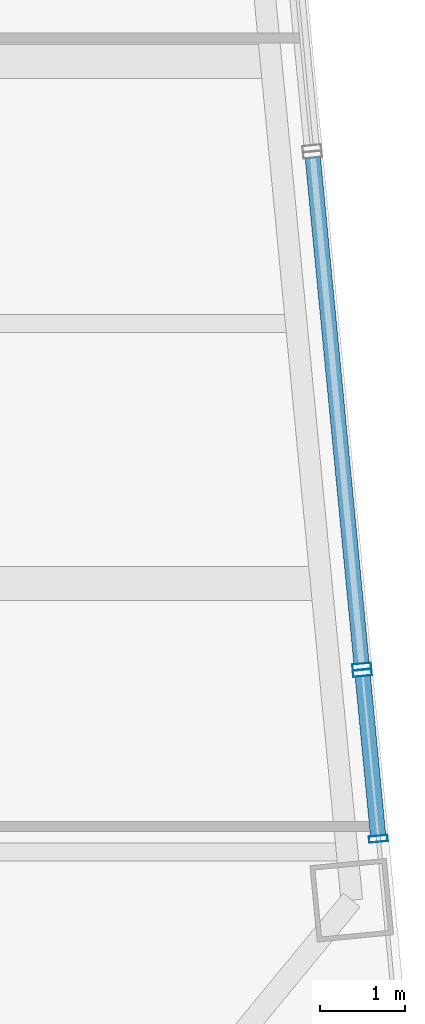
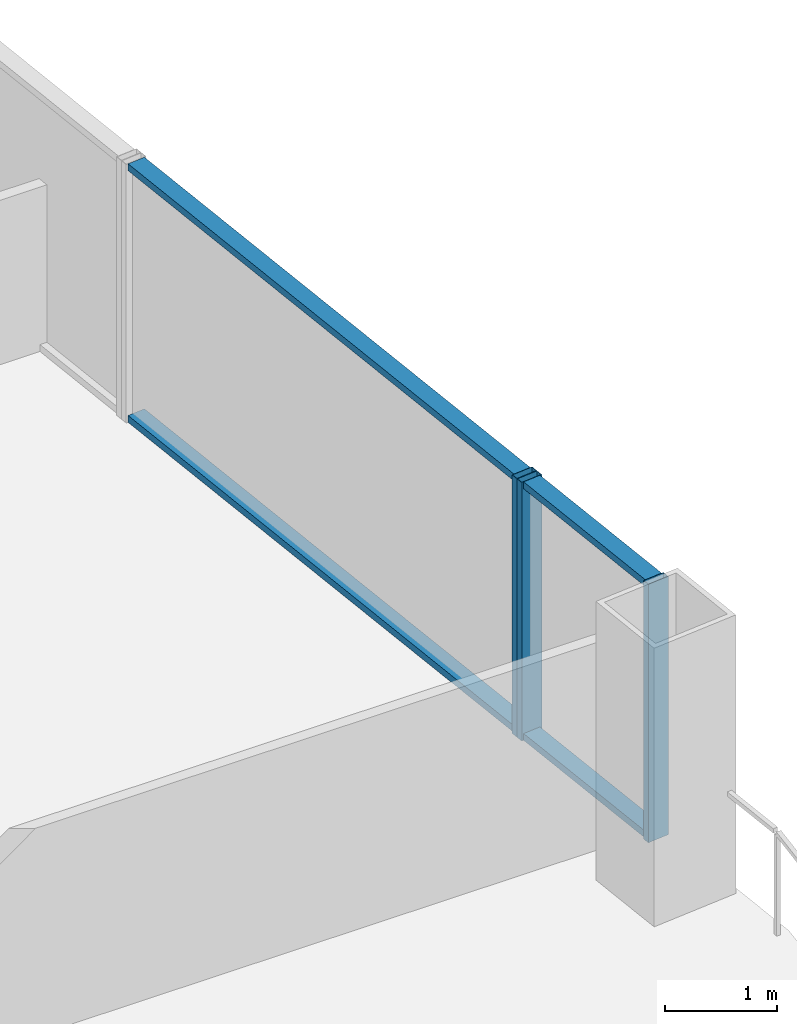
# One storey, part 12 of 28: 7 members, 2 elements without a shape of their own.
"""IFC4 building model written with IfcOpenShell, lengths in metres."""

from ifc_helpers import new_model, si_unit, direction, frame, origin, origin_2d, place, context, subcontext, project, spatial, hollow_rectangle, extrude, material, layer, layer_set, material_profile, profile_set, type_object, element, aggregate, save


model = new_model("IFC4")

# Units and contexts
model_context = context("Model", 3, precision=1e-05, world=origin(), true_north=direction((0.0, 1.0)))
body_context = subcontext(model_context, "Body", "Model", "MODEL_VIEW")
ifc_project = project(units=[si_unit("LENGTHUNIT", "METRE"), si_unit("AREAUNIT", "SQUARE_METRE"), si_unit("VOLUMEUNIT", "CUBIC_METRE"), si_unit("PLANEANGLEUNIT", "RADIAN"), si_unit("MASSUNIT", "GRAM", prefix="KILO")], contexts=[model_context])

# Site, building, storey
site_placement = place(None, origin())
site = spatial("IfcSite", under=ifc_project, at=site_placement, CompositionType="ELEMENT")
building_placement = place(site_placement, origin())
building = spatial("IfcBuilding", under=site, at=building_placement, Name="Qhalaya Broadcast Tower", CompositionType="ELEMENT")
storey_placement = place(building_placement, frame((0.0, 0.0, 90.800048828125)))
storey = spatial("IfcBuildingStorey", under=building, at=storey_placement, Name="L26", CompositionType="ELEMENT", Elevation=90.800048828125)

# Curtain wall, members
ifc_material_1 = material(Name="Solar-Control Low-E Triple Glazing", Category="glass")
ifc_layer_1 = layer(ifc_material_1, 0.219970703125, Name="Solar-Control Low-E Triple Glazing")
ifc_layer_set_1 = layer_set([ifc_layer_1], Name="Solar-Control Low-E Triple Glazing")
curtain_wall_type_1 = type_object("IfcCurtainWallType", Name="Even-Block 4-Storey Double-Module Curtain Wall CW-03", PredefinedType="NOTDEFINED", material=ifc_layer_set_1)
curtain_wall_1_placement = place(storey_placement, origin())
curtain_wall_1 = element("IfcCurtainWall", 1, at=curtain_wall_1_placement, inside=storey, type_object=curtain_wall_type_1, Name="L26 Unitised Curtain Wall L26-CW-E1", PredefinedType="NOTDEFINED")
ifc_material_2 = material(Name="Anodised Aluminium 6063-T6", Category="aluminium")
ifc_material_profile_1 = material_profile(ifc_material_2, hollow_rectangle(XDim=0.074951171875, YDim=0.219970703125, WallThickness=0.00390625, at=origin_2d()), Name="ALU-MUL 75x220x4")
ifc_profile_set_1 = profile_set([ifc_material_profile_1], Name="Anodised Aluminium 6063-T6")
member_type_1 = type_object("IfcMemberType", Name="Unitised Curtain-Wall Mullion M01", PredefinedType="MULLION", material=ifc_profile_set_1)
member_1_placement = place(storey_placement, frame((29.60498046875, -11.74462890625, 0.0), z_axis=(0.0, 0.0, 1.0), x_axis=(-0.095857964978, 0.995395022366, 0.0)))
member_1 = element("IfcMember", 2, at=member_1_placement, type_object=member_type_1, Name="CW-03 mullion 1", PredefinedType="MULLION", context=body_context, shape_type="SweptSolid", body=[
    extrude(hollow_rectangle(XDim=0.074951171875, YDim=0.219970703125, WallThickness=0.00390625, at=origin_2d()), origin(), (0.0, 0.0, 1.0), 2.829833984375),
])
member_2_placement = place(storey_placement, frame((29.417724609375, -9.799560546875, 0.0), z_axis=(0.0, 0.0, 1.0), x_axis=(-0.095857964978, 0.995395022366, 0.0)))
member_2 = element("IfcMember", 3, at=member_2_placement, type_object=member_type_1, Name="CW-03 mullion 2", PredefinedType="MULLION", context=body_context, shape_type="SweptSolid", body=[
    extrude(hollow_rectangle(XDim=0.074951171875, YDim=0.219970703125, WallThickness=0.00390625, at=origin_2d()), origin(), (0.0, 0.0, 1.0), 2.829833984375),
])

# Curtain wall, member
ifc_material_3 = material(Name="Fired Architectural Terracotta", Category="masonry")
ifc_layer_2 = layer(ifc_material_3, 0.219970703125, Name="Fired Architectural Terracotta")
ifc_layer_set_2 = layer_set([ifc_layer_2], Name="Fired Architectural Terracotta")
curtain_wall_type_2 = type_object("IfcCurtainWallType", Name="Block-Cap Unitised Terracotta Spandrel Wall CW-07", PredefinedType="NOTDEFINED", material=ifc_layer_set_2)
curtain_wall_2_placement = place(storey_placement, origin())
curtain_wall_2 = element("IfcCurtainWall", 4, at=curtain_wall_2_placement, inside=storey, type_object=curtain_wall_type_2, Name="L26 Unitised Curtain Wall L26-CW-E2", PredefinedType="NOTDEFINED")
member_3_placement = place(storey_placement, frame((29.410400390625, -9.724853515625, 0.0), z_axis=(0.0, 0.0, 1.0), x_axis=(-0.095843409779, 0.995396423945, 0.0)))
member_3 = element("IfcMember", 5, at=member_3_placement, type_object=member_type_1, Name="CW-07 mullion 1", PredefinedType="MULLION", context=body_context, shape_type="SweptSolid", body=[
    extrude(hollow_rectangle(XDim=0.074951171875, YDim=0.219970703125, WallThickness=0.00390625, at=origin_2d()), origin(), (0.0, 0.0, 1.0), 2.829833984375),
])

# Member
ifc_material_profile_2 = material_profile(ifc_material_2, hollow_rectangle(XDim=0.074951171875, YDim=0.179931640625, WallThickness=0.00390625, at=origin_2d()), Name="ALU-TRN 75x180x4")
ifc_profile_set_2 = profile_set([ifc_material_profile_2], Name="Anodised Aluminium 6063-T6")
member_type_2 = type_object("IfcMemberType", Name="Unitised Curtain-Wall Transom T01", PredefinedType="USERDEFINED", material=ifc_profile_set_2)
member_4_placement = place(storey_placement, frame((29.601318359375, -11.707275390625, 0.037353515625), z_axis=(-0.095759446563, 0.995404504909, 0.0), x_axis=(0.0, 0.0, 1.0)))
member_4 = element("IfcMember", 6, at=member_4_placement, type_object=member_type_2, Name="CW-03 transom 1.1", ObjectType="TRANSOM", PredefinedType="USERDEFINED", context=body_context, shape_type="SweptSolid", body=[
    extrude(hollow_rectangle(XDim=0.074951171875, YDim=0.179931640625, WallThickness=0.00390625, at=origin_2d()), origin(), (0.0, 0.0, 1.0), 1.87890625),
])

member_5_placement = place(storey_placement, frame((29.601318359375, -11.707275390625, 2.79248046875), z_axis=(-0.095759446563, 0.995404504909, 0.0), x_axis=(0.0, 0.0, 1.0)))
member_5 = element("IfcMember", 7, at=member_5_placement, type_object=member_type_2, Name="CW-03 transom 1.2", ObjectType="TRANSOM", PredefinedType="USERDEFINED", context=body_context, shape_type="SweptSolid", body=[
    extrude(hollow_rectangle(XDim=0.074951171875, YDim=0.179931640625, WallThickness=0.00390625, at=origin_2d()), origin(), (0.0, 0.0, 1.0), 1.87890625),
])

aggregate(curtain_wall_1, [member_1, member_2, member_4, member_5])

member_6_placement = place(storey_placement, frame((29.406982421875, -9.687744140625, 0.037353515625), z_axis=(-0.095868536792, 0.995394004228, 0.0), x_axis=(0.0, 0.0, 1.0)))
member_6 = element("IfcMember", 8, at=member_6_placement, type_object=member_type_2, Name="CW-07 transom 1.1", ObjectType="TRANSOM", PredefinedType="USERDEFINED", context=body_context, shape_type="SweptSolid", body=[
    extrude(hollow_rectangle(XDim=0.074951171875, YDim=0.179931640625, WallThickness=0.00390625, at=origin_2d()), origin(), (0.0, 0.0, 1.0), 5.958984375),
])

member_7_placement = place(storey_placement, frame((29.406982421875, -9.687744140625, 2.79248046875), z_axis=(-0.095868536792, 0.995394004228, 0.0), x_axis=(0.0, 0.0, 1.0)))
member_7 = element("IfcMember", 9, at=member_7_placement, type_object=member_type_2, Name="CW-07 transom 1.2", ObjectType="TRANSOM", PredefinedType="USERDEFINED", context=body_context, shape_type="SweptSolid", body=[
    extrude(hollow_rectangle(XDim=0.074951171875, YDim=0.179931640625, WallThickness=0.00390625, at=origin_2d()), origin(), (0.0, 0.0, 1.0), 5.958984375),
])

aggregate(curtain_wall_2, [member_3, member_6, member_7])

save(model, "model.ifc")
